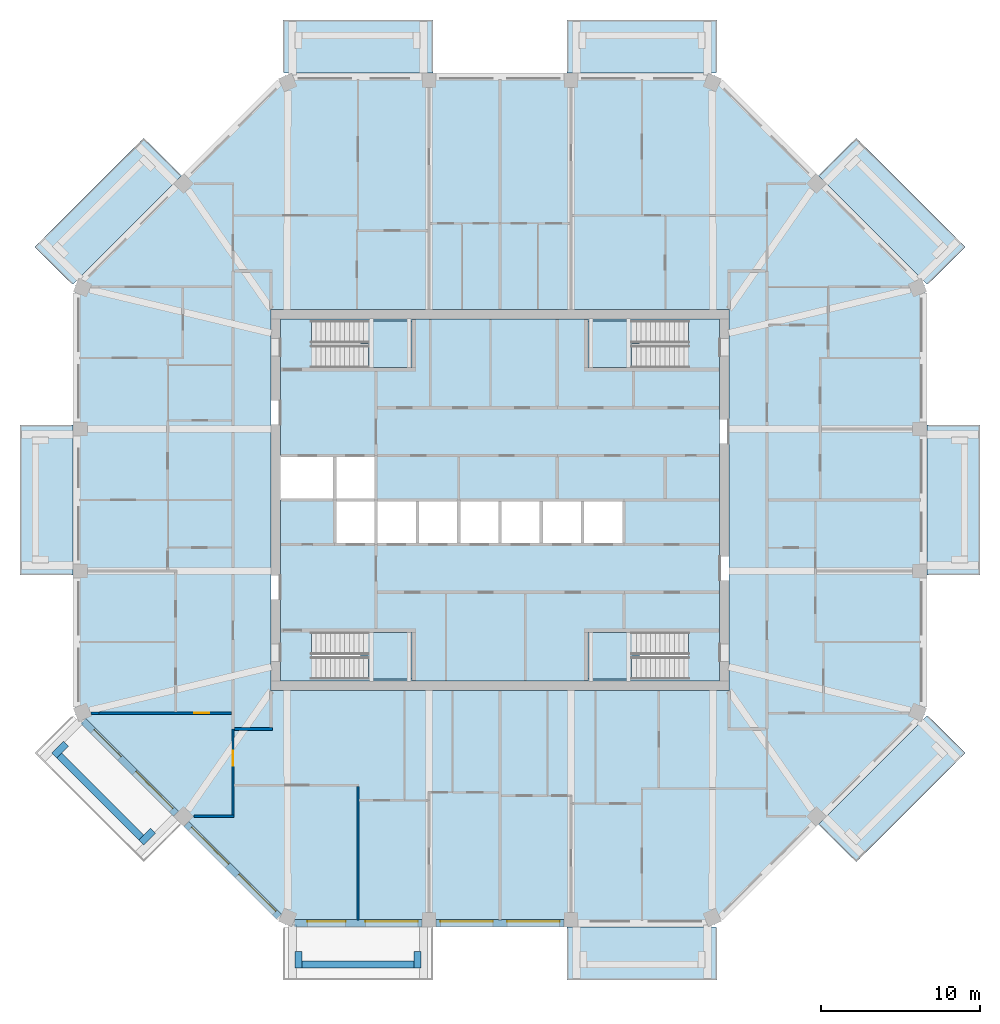
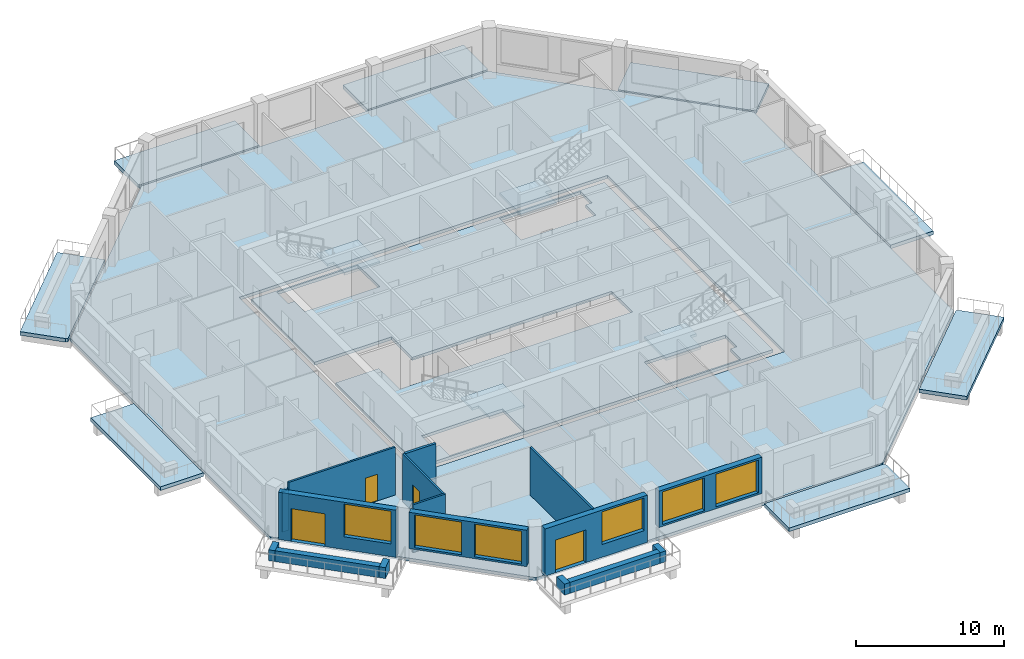
# One storey, part 2 of 12: 16 walls, 14 slabs, 6 windows, 4 doors, 10 openings, 4 elements without a shape of their own.
"""IFC4 building model written with IfcOpenShell, lengths in metres."""

from ifc_helpers import new_model, si_unit, direction, frame, frame_2d, origin, place, context, subcontext, project, spatial, polyline, rectangle, outline, extrude, material, layer, layer_set, type_object, element, fill, aggregate, save


model = new_model("IFC4")

# Units and contexts
model_context = context("Model", 3, precision=1e-05, world=origin(), true_north=direction((0.0, 1.0)))
body_context = subcontext(model_context, "Body", "Model", "MODEL_VIEW")
ifc_project = project(units=[si_unit("LENGTHUNIT", "METRE"), si_unit("AREAUNIT", "SQUARE_METRE"), si_unit("VOLUMEUNIT", "CUBIC_METRE"), si_unit("PLANEANGLEUNIT", "RADIAN"), si_unit("MASSUNIT", "GRAM", prefix="KILO")], contexts=[model_context])

# Site, building, storey
site_placement = place(None, origin())
site = spatial("IfcSite", under=ifc_project, at=site_placement, CompositionType="ELEMENT")
building_placement = place(site_placement, origin())
building = spatial("IfcBuilding", under=site, at=building_placement, Name="Msitu Wima Residences", CompositionType="ELEMENT")
storey_placement = place(building_placement, frame((0.0, 0.0, 247.5)))
storey = spatial("IfcBuildingStorey", under=building, at=storey_placement, Name="L57", CompositionType="ELEMENT", Elevation=247.5)

# Slabs
ifc_material_1 = material(Name="Concrete C40/50", Category="concrete")
ifc_layer_1 = layer(ifc_material_1, 0.300048828125)
ifc_layer_set_1 = layer_set([ifc_layer_1], Name="Concrete C40/50")
slab_type_1 = type_object("IfcSlabType", Name="Balcony slab BS300", PredefinedType="FLOOR", material=ifc_layer_set_1)
slab_1_placement = place(storey_placement, frame((0.0, 0.0, -0.300048828125)))
element("IfcSlab", 1, at=slab_1_placement, inside=storey, type_object=slab_type_1, Name="Balcony E1 L57", PredefinedType="FLOOR", context=body_context, shape_type="SweptSolid", body=[
    extrude(outline(polyline([(26.85009765625, -4.0185546875), (26.85009765625, 4.0185546875), (26.85009765625, 4.71875), (30.199951171875, 4.71875), (30.199951171875, -4.71875), (26.85009765625, -4.71875), (26.85009765625, -4.0185546875)])), origin(), (0.0, 0.0, 1.0), 0.300048828125),
])
slab_2_placement = place(storey_placement, frame((0.0, 0.0, -0.300048828125)))
element("IfcSlab", 2, at=slab_2_placement, inside=storey, type_object=slab_type_1, Name="Balcony NE0 L57", PredefinedType="FLOOR", context=body_context, shape_type="SweptSolid", body=[
    extrude(outline(polyline([(26.505615234375, 13.936767578125), (26.505615234375, 13.936767578125), (20.04443359375, 20.39794921875), (22.4130859375, 22.766845703125), (29.263671875, 15.916015625), (27.003662109375, 13.656005859375), (26.85009765625, 13.59228515625), (26.505615234375, 13.936767578125), (26.505615234375, 13.936767578125)])), origin(), (0.0, 0.0, 1.0), 0.300048828125),
])
slab_3_placement = place(storey_placement, frame((0.0, 0.0, -0.300048828125)))
element("IfcSlab", 3, at=slab_3_placement, inside=storey, type_object=slab_type_1, Name="Balcony N0 L57", PredefinedType="FLOOR", context=body_context, shape_type="SweptSolid", body=[
    extrude(outline(polyline([(13.105224609375, 26.85009765625), (13.105224609375, 26.85009765625), (4.918701171875, 26.85009765625), (4.21875, 26.85009765625), (4.21875, 30.199951171875), (13.656005859375, 30.199951171875), (13.656005859375, 27.003662109375), (13.59228515625, 26.85009765625), (13.105224609375, 26.85009765625), (13.105224609375, 26.85009765625)])), origin(), (0.0, 0.0, 1.0), 0.300048828125),
])
slab_4_placement = place(storey_placement, frame((0.0, 0.0, -0.300048828125)))
element("IfcSlab", 4, at=slab_4_placement, inside=storey, type_object=slab_type_1, Name="Balcony N2 L57", PredefinedType="FLOOR", context=body_context, shape_type="SweptSolid", body=[
    extrude(outline(polyline([(-13.105224609375, 26.85009765625), (-13.105224609375, 26.85009765625), (-13.105224609375, 26.85009765625), (-13.59228515625, 26.85009765625), (-13.656005859375, 27.003662109375), (-13.656005859375, 30.199951171875), (-4.21875, 30.199951171875), (-4.21875, 26.85009765625), (-4.918701171875, 26.85009765625), (-13.105224609375, 26.85009765625)])), origin(), (0.0, 0.0, 1.0), 0.300048828125),
])
slab_5_placement = place(storey_placement, frame((0.0, 0.0, -0.300048828125)))
element("IfcSlab", 5, at=slab_5_placement, inside=storey, type_object=slab_type_1, Name="Balcony NW1 L57", PredefinedType="FLOOR", context=body_context, shape_type="SweptSolid", body=[
    extrude(outline(polyline([(-26.505615234375, 13.936767578125), (-26.505615234375, 13.936767578125), (-26.85009765625, 13.59228515625), (-27.003662109375, 13.656005859375), (-29.263671875, 15.916015625), (-22.4130859375, 22.766845703125), (-20.04443359375, 20.39794921875), (-26.505615234375, 13.936767578125), (-26.505615234375, 13.936767578125)])), origin(), (0.0, 0.0, 1.0), 0.300048828125),
])
slab_6_placement = place(storey_placement, frame((0.0, 0.0, -0.300048828125)))
element("IfcSlab", 6, at=slab_6_placement, inside=storey, type_object=slab_type_1, Name="Balcony W1 L57", PredefinedType="FLOOR", context=body_context, shape_type="SweptSolid", body=[
    extrude(outline(polyline([(-26.85009765625, 4.0185546875), (-26.85009765625, -4.0185546875), (-26.85009765625, -4.71875), (-30.199951171875, -4.71875), (-30.199951171875, 4.71875), (-26.85009765625, 4.71875), (-26.85009765625, 4.0185546875)])), origin(), (0.0, 0.0, 1.0), 0.300048828125),
])
slab_7_placement = place(storey_placement, frame((0.0, 0.0, -0.300048828125)))
element("IfcSlab", 7, at=slab_7_placement, inside=storey, type_object=slab_type_1, Name="Balcony S2 L57", PredefinedType="FLOOR", context=body_context, shape_type="SweptSolid", body=[
    extrude(outline(polyline([(13.105224609375, -26.85009765625), (13.105224609375, -26.85009765625), (13.105224609375, -26.85009765625), (13.59228515625, -26.85009765625), (13.656005859375, -27.003662109375), (13.656005859375, -30.199951171875), (4.21875, -30.199951171875), (4.21875, -26.85009765625), (4.918701171875, -26.85009765625), (13.105224609375, -26.85009765625)])), origin(), (0.0, 0.0, 1.0), 0.300048828125),
])
slab_8_placement = place(storey_placement, frame((0.0, 0.0, -0.300048828125)))
element("IfcSlab", 8, at=slab_8_placement, inside=storey, type_object=slab_type_1, Name="Balcony SE1 L57", PredefinedType="FLOOR", context=body_context, shape_type="SweptSolid", body=[
    extrude(outline(polyline([(26.505615234375, -13.936767578125), (26.505615234375, -13.936767578125), (26.85009765625, -13.59228515625), (27.003662109375, -13.656005859375), (29.263671875, -15.916015625), (22.4130859375, -22.766845703125), (20.04443359375, -20.39794921875), (26.505615234375, -13.936767578125), (26.505615234375, -13.936767578125)])), origin(), (0.0, 0.0, 1.0), 0.300048828125),
])
ifc_layer_2 = layer(ifc_material_1, 0.25)
ifc_layer_set_2 = layer_set([ifc_layer_2], Name="Concrete C40/50")
slab_type_2 = type_object("IfcSlabType", Name="Core floor CF250", PredefinedType="FLOOR", material=ifc_layer_set_2)
slab_9_placement = place(storey_placement, frame((0.0, 0.0, -0.25)))
element("IfcSlab", 9, at=slab_9_placement, inside=storey, type_object=slab_type_2, Name="Core floor", PredefinedType="FLOOR", context=body_context, shape_type="SweptSolid", body=[
    extrude(outline(polyline([(-13.800048828125, 11.39990234375), (-13.800048828125, 2.800048828125), (-10.39990234375, 2.800048828125), (-7.800048828125, 2.800048828125), (-7.800048828125, 0.0), (-5.199951171875, 0.0), (-2.60009765625, 0.0), (0.0, 0.0), (2.60009765625, 0.0), (5.199951171875, 0.0), (7.800048828125, 0.0), (7.800048828125, -2.800048828125), (5.199951171875, -2.800048828125), (2.60009765625, -2.800048828125), (0.0, -2.800048828125), (-2.60009765625, -2.800048828125), (-5.199951171875, -2.800048828125), (-7.800048828125, -2.800048828125), (-10.39990234375, -2.800048828125), (-10.39990234375, 0.0), (-13.800048828125, 0.0), (-13.800048828125, -11.39990234375), (13.800048828125, -11.39990234375), (13.800048828125, 11.39990234375), (-13.800048828125, 11.39990234375)]), holes=[polyline([(-11.375, -11.27490234375), (-11.375, -9.875), (-11.87451171875, -9.875), (-11.87451171875, -8.324951171875), (-5.52490234375, -8.324951171875), (-5.52490234375, -11.27490234375), (-11.375, -11.27490234375)]), polyline([(-11.375, 8.324951171875), (-11.375, 9.72509765625), (-11.87451171875, 9.72509765625), (-11.87451171875, 11.27490234375), (-5.52490234375, 11.27490234375), (-5.52490234375, 8.324951171875), (-11.375, 8.324951171875)]), polyline([(11.375, -9.875), (11.375, -11.27490234375), (5.52490234375, -11.27490234375), (5.52490234375, -8.324951171875), (11.87451171875, -8.324951171875), (11.87451171875, -9.875), (11.375, -9.875)]), polyline([(11.375, 9.72509765625), (11.375, 8.324951171875), (5.52490234375, 8.324951171875), (5.52490234375, 11.27490234375), (11.87451171875, 11.27490234375), (11.87451171875, 9.72509765625), (11.375, 9.72509765625)])]), origin(), (0.0, 0.0, 1.0), 0.25),
])
ifc_layer_3 = layer(ifc_material_1, 0.25)
ifc_layer_set_3 = layer_set([ifc_layer_3], Name="Concrete C40/50")
slab_type_3 = type_object("IfcSlabType", Name="PT flat slab 250 Concrete C40/50", PredefinedType="FLOOR", material=ifc_layer_set_3)
slab_10_placement = place(storey_placement, frame((0.0, 0.0, -0.25)))
element("IfcSlab", 10, at=slab_10_placement, inside=storey, type_object=slab_type_3, Name="Floor slab L57", PredefinedType="FLOOR", context=body_context, shape_type="SweptSolid", body=[
    extrude(outline(polyline([(26.699951171875, -13.5302734375), (13.5302734375, -26.699951171875), (-13.5302734375, -26.699951171875), (-26.699951171875, -13.5302734375), (-26.699951171875, 13.5302734375), (-13.5302734375, 26.699951171875), (13.5302734375, 26.699951171875), (26.699951171875, 13.5302734375), (26.699951171875, -13.5302734375)]), holes=[polyline([(-14.39990234375, -12.0), (14.39990234375, -12.0), (14.39990234375, 12.0), (-14.39990234375, 12.0), (-14.39990234375, -12.0)])]), origin(), (0.0, 0.0, 1.0), 0.25),
])

# Stair, slab
stair_type = type_object("IfcStairType", Name="Exit stair ES1615-140", PredefinedType="HALF_TURN_STAIR", material=ifc_material_1)
stair_1_placement = place(storey_placement, origin())
stair_1 = element("IfcStair", 11, at=stair_1_placement, inside=storey, type_object=stair_type, Name="Exit stair 1", PredefinedType="HALF_TURN_STAIR")
ifc_layer_4 = layer(ifc_material_1, 0.199951171875)
ifc_layer_set_4 = layer_set([ifc_layer_4], Name="Concrete C40/50")
slab_type_4 = type_object("IfcSlabType", Name="Stair landing SL200", PredefinedType="LANDING", material=ifc_layer_set_4)
slab_11_placement = place(storey_placement, frame((0.0, 0.0, 1.89990234375)))
slab_11 = element("IfcSlab", 12, at=slab_11_placement, type_object=slab_type_4, Name="S1 landing 1", PredefinedType="LANDING", context=body_context, shape_type="SweptSolid", body=[
    extrude(outline(polyline([(-5.52490234375, 8.324951171875), (-8.275390625, 8.324951171875), (-8.275390625, 9.800048828125), (-8.77490234375, 9.800048828125), (-8.77490234375, 11.27490234375), (-5.52490234375, 11.27490234375), (-5.52490234375, 8.324951171875)])), origin(), (0.0, 0.0, 1.0), 0.2001953125),
])
aggregate(stair_1, [slab_11])

stair_2_placement = place(storey_placement, origin())
stair_2 = element("IfcStair", 13, at=stair_2_placement, inside=storey, type_object=stair_type, Name="Exit stair 2", PredefinedType="HALF_TURN_STAIR")
slab_12_placement = place(storey_placement, frame((0.0, 0.0, 1.89990234375)))
slab_12 = element("IfcSlab", 14, at=slab_12_placement, type_object=slab_type_4, Name="S2 landing 1", PredefinedType="LANDING", context=body_context, shape_type="SweptSolid", body=[
    extrude(outline(polyline([(-5.52490234375, -11.27490234375), (-8.275390625, -11.27490234375), (-8.275390625, -9.800048828125), (-8.77490234375, -9.800048828125), (-8.77490234375, -8.324951171875), (-5.52490234375, -8.324951171875), (-5.52490234375, -11.27490234375)])), origin(), (0.0, 0.0, 1.0), 0.2001953125),
])
aggregate(stair_2, [slab_12])

stair_3_placement = place(storey_placement, origin())
stair_3 = element("IfcStair", 15, at=stair_3_placement, inside=storey, type_object=stair_type, Name="Exit stair 3", PredefinedType="HALF_TURN_STAIR")
slab_13_placement = place(storey_placement, frame((0.0, 0.0, 1.89990234375)))
slab_13 = element("IfcSlab", 16, at=slab_13_placement, type_object=slab_type_4, Name="S3 landing 1", PredefinedType="LANDING", context=body_context, shape_type="SweptSolid", body=[
    extrude(outline(polyline([(5.52490234375, 8.324951171875), (8.275390625, 8.324951171875), (8.275390625, 9.800048828125), (8.77490234375, 9.800048828125), (8.77490234375, 11.27490234375), (5.52490234375, 11.27490234375), (5.52490234375, 8.324951171875)])), origin(), (0.0, 0.0, 1.0), 0.2001953125),
])
aggregate(stair_3, [slab_13])

stair_4_placement = place(storey_placement, origin())
stair_4 = element("IfcStair", 17, at=stair_4_placement, inside=storey, type_object=stair_type, Name="Exit stair 4", PredefinedType="HALF_TURN_STAIR")
slab_14_placement = place(storey_placement, frame((0.0, 0.0, 1.89990234375)))
slab_14 = element("IfcSlab", 18, at=slab_14_placement, type_object=slab_type_4, Name="S4 landing 1", PredefinedType="LANDING", context=body_context, shape_type="SweptSolid", body=[
    extrude(outline(polyline([(5.52490234375, -11.27490234375), (8.275390625, -11.27490234375), (8.275390625, -9.800048828125), (8.77490234375, -9.800048828125), (8.77490234375, -8.324951171875), (5.52490234375, -8.324951171875), (5.52490234375, -11.27490234375)])), origin(), (0.0, 0.0, 1.0), 0.2001953125),
])
aggregate(stair_4, [slab_14])

# Walls
ifc_material_2 = material(Name="Facing brick")
ifc_layer_5 = layer(ifc_material_2, 0.06494140625, Name="Facing brick")
ifc_layer_6 = layer(ifc_material_1, 0.156005859375, Name="Concrete C40/50")
ifc_material_3 = material(Name="Waterproofing membrane")
ifc_layer_7 = layer(ifc_material_3, 0.00390625, Name="Waterproofing membrane")
ifc_material_4 = material(Name="Planting soil and planting")
ifc_layer_8 = layer(ifc_material_4, 0.22509765625, Name="Planting soil and planting")
ifc_layer_set_5 = layer_set([ifc_layer_5, ifc_layer_6, ifc_layer_7, ifc_layer_8], Name="Concrete C40/50")
wall_type_1 = type_object("IfcWallType", Name="Balcony planter PLANTER PL450", PredefinedType="USERDEFINED", material=ifc_layer_set_5)
wall_1_placement = place(storey_placement, frame((-27.725830078125, -16.0751953125, 0.0), z_axis=(0.0, 0.0, 1.0), x_axis=(0.707106781187, -0.707106781187, 0.0)))
element("IfcWall", 19, at=wall_1_placement, inside=storey, type_object=wall_type_1, Name="Balcony planter SW0 L57", ObjectType="PLANTER", PredefinedType="USERDEFINED", context=body_context, shape_type="SweptSolid", body=[
    extrude(rectangle(XDim=7.288330078125, YDim=0.449951171875, at=frame_2d((3.64404296875, 0.0))), origin(), (0.0, 0.0, 1.0), 0.89990234375),
])
for number, where, z_axis, x_axis, name in (
    (20, (-27.301513671875, -15.332763671875, 0.0), (0.0, 0.0, 1.0), (-0.707106781187, -0.707106781187, 0.0), "Balcony planter SW0 L57"),
    (21, (-21.829833984375, -20.804443359375, 0.0), (0.0, 0.0, 1.0), (-0.707106781187, -0.707106781187, 0.0), "Balcony planter SW0 L57"),
):
    element("IfcWall", number, at=place(storey_placement, frame(where, z_axis=z_axis, x_axis=x_axis)), inside=storey, type_object=wall_type_1, Name=name, ObjectType="PLANTER", PredefinedType="USERDEFINED", context=body_context, shape_type="SweptSolid", body=[
        extrude(rectangle(XDim=1.050048828125, YDim=0.449951171875, at=frame_2d((0.52490234375, 0.0))), origin(), (0.0, 0.0, 1.0), 0.89990234375),
    ])
wall_2_placement = place(storey_placement, frame((-12.455810546875, -29.22509765625, 0.0), z_axis=(0.0, 0.0, 1.0), x_axis=(1.0, 0.0, 0.0)))
element("IfcWall", 22, at=wall_2_placement, inside=storey, type_object=wall_type_1, Name="Balcony planter S0 L57", ObjectType="PLANTER", PredefinedType="USERDEFINED", context=body_context, shape_type="SweptSolid", body=[
    extrude(rectangle(XDim=7.037109375, YDim=0.449951171875, at=frame_2d((3.5185546875, 0.0))), origin(), (0.0, 0.0, 1.0), 0.89990234375),
])
for number, where, z_axis, x_axis, name in (
    (23, (-12.680908203125, -28.39990234375, 0.0), (0.0, 0.0, 1.0), (0.0, -1.0, 0.0), "Balcony planter S0 L57"),
    (24, (-5.193603515625, -28.39990234375, 0.0), (0.0, 0.0, 1.0), (0.0, -1.0, 0.0), "Balcony planter S0 L57"),
):
    element("IfcWall", number, at=place(storey_placement, frame(where, z_axis=z_axis, x_axis=x_axis)), inside=storey, type_object=wall_type_1, Name=name, ObjectType="PLANTER", PredefinedType="USERDEFINED", context=body_context, shape_type="SweptSolid", body=[
        extrude(rectangle(XDim=1.050048828125, YDim=0.449951171875, at=frame_2d((0.52490234375, 0.0))), origin(), (0.0, 0.0, 1.0), 0.89990234375),
    ])

# Wall, openings, door, window
ifc_material_5 = material(Name="Brick (red buff mix)", Category="masonry")
ifc_layer_9 = layer(ifc_material_5, 0.449951171875)
ifc_layer_set_6 = layer_set([ifc_layer_9], Name="Brick (red buff mix)")
wall_type_2 = type_object("IfcWallType", Name="Brick infill wall BW450", PredefinedType="SOLIDWALL", material=ifc_layer_set_6)
wall_3_placement = place(storey_placement, frame((-26.214599609375, -13.909423828125, 0.0), z_axis=(0.0, 0.0, 1.0), x_axis=(0.707106781187, -0.707106781187, 0.0)))
wall_3 = element("IfcWall", 25, at=wall_3_placement, inside=storey, type_object=wall_type_2, Name="Brick infill wall L57 SW0", PredefinedType="SOLIDWALL", context=body_context, shape_type="SweptSolid", body=[
    extrude(rectangle(XDim=8.251220703125, YDim=0.449951171875, at=frame_2d((4.12548828125, 0.0))), origin(), (0.0, 0.0, 1.0), 3.89990234375),
])
opening_1_placement = place(wall_3_placement, frame((0.86279296875, 0.0, 0.0)))
opening_1 = element("IfcOpeningElement", 26, at=opening_1_placement, cuts=wall_3, Name="Opening D57-59.009", PredefinedType="OPENING", context=body_context, shape_type="SweptSolid", body=[
    extrude(rectangle(XDim=2.39990234375, YDim=2.699951171875, at=frame_2d((1.199951171875, 1.35009765625))), frame((0.0, 0.23486328125, 0.0), z_axis=(0.0, -1.0, 0.0), x_axis=(1.0, 0.0, 0.0)), (0.0, 0.0, 1.0), 0.469970703125),
])
opening_2_placement = place(wall_3_placement, frame((4.57568359375, 0.0, 1.050048828125)))
opening_2 = element("IfcOpeningElement", 27, at=opening_2_placement, cuts=wall_3, Name="Opening W57-59.023", PredefinedType="OPENING", context=body_context, shape_type="SweptSolid", body=[
    extrude(rectangle(XDim=3.300048828125, YDim=2.699951171875, at=frame_2d((1.64990234375, 1.35009765625))), frame((0.0, 0.23486328125, 0.0), z_axis=(0.0, -1.0, 0.0), x_axis=(1.0, 0.0, 0.0)), (0.0, 0.0, 1.0), 0.469970703125),
])
ifc_material_6 = material(Name="Anodised aluminium, bronze finish, clear low-emissivity double glazing", Category="aluminium")
door_type_1 = type_object("IfcDoorType", Name="Balcony door D2400x2700", OperationType="SLIDING_TO_LEFT", PredefinedType="DOOR", material=ifc_material_6)
door_1_placement = place(opening_1_placement, origin())
door_1 = element("IfcDoor", 28, at=door_1_placement, inside=storey, type_object=door_type_1, Name="Balcony door L57 SW0", OperationType="SINGLE_SWING_LEFT", OverallHeight=2.699951171875, OverallWidth=2.39990234375, PredefinedType="DOOR", context=body_context, shape_type="SweptSolid", body=[
    extrude(rectangle(XDim=2.39990234375, YDim=2.699951171875, at=frame_2d((1.199951171875, 1.35009765625))), frame((0.0, 0.1298828125, 0.0), z_axis=(0.0, -1.0, 0.0), x_axis=(1.0, 0.0, 0.0)), (0.0, 0.0, 1.0), 0.050048828125),
])
fill(opening_1, door_1)
window_type = type_object("IfcWindowType", Name="Window W3300x2700", PartitioningType="DOUBLE_PANEL_VERTICAL", PredefinedType="WINDOW", material=ifc_material_6)
window_1_placement = place(opening_2_placement, origin())
window_1 = element("IfcWindow", 29, at=window_1_placement, inside=storey, type_object=window_type, Name="Window L57 SW0.2", OverallHeight=2.699951171875, OverallWidth=3.300048828125, PartitioningType="SINGLE_PANEL", PredefinedType="WINDOW", context=body_context, shape_type="SweptSolid", body=[
    extrude(rectangle(XDim=3.300048828125, YDim=2.699951171875, at=frame_2d((1.64990234375, 1.35009765625))), frame((0.0, 0.135009765625, 0.0), z_axis=(0.0, -1.0, 0.0), x_axis=(1.0, 0.0, 0.0)), (0.0, 0.0, 1.0), 0.06005859375),
])
fill(opening_2, window_1)

# Wall, openings, windows
wall_4_placement = place(storey_placement, frame((-19.743896484375, -20.380126953125, 0.89990234375), z_axis=(0.0, 0.0, 1.0), x_axis=(0.707106781187, -0.707106781187, 0.0)))
wall_4 = element("IfcWall", 30, at=wall_4_placement, inside=storey, type_object=wall_type_2, Name="Brick infill wall L57 SW1", PredefinedType="SOLIDWALL", context=body_context, shape_type="SweptSolid", body=[
    extrude(rectangle(XDim=8.251220703125, YDim=0.449951171875, at=frame_2d((4.12548828125, 0.0))), origin(), (0.0, 0.0, 1.0), 3.0),
])
opening_3_placement = place(wall_4_placement, frame((0.37548828125, 0.0, 0.14990234375)))
opening_3 = element("IfcOpeningElement", 31, at=opening_3_placement, cuts=wall_4, Name="Opening W57-59.024", PredefinedType="OPENING", context=body_context, shape_type="SweptSolid", body=[
    extrude(rectangle(XDim=3.300048828125, YDim=2.699951171875, at=frame_2d((1.64990234375, 1.35009765625))), frame((0.0, 0.23486328125, 0.0), z_axis=(0.0, -1.0, 0.0), x_axis=(1.0, 0.0, 0.0)), (0.0, 0.0, 1.0), 0.469970703125),
])
opening_4_placement = place(wall_4_placement, frame((4.57568359375, 0.0, 0.14990234375)))
opening_4 = element("IfcOpeningElement", 32, at=opening_4_placement, cuts=wall_4, Name="Opening W57-59.025", PredefinedType="OPENING", context=body_context, shape_type="SweptSolid", body=[
    extrude(rectangle(XDim=3.300048828125, YDim=2.699951171875, at=frame_2d((1.64990234375, 1.35009765625))), frame((0.0, 0.23486328125, 0.0), z_axis=(0.0, -1.0, 0.0), x_axis=(1.0, 0.0, 0.0)), (0.0, 0.0, 1.0), 0.469970703125),
])
window_2_placement = place(opening_3_placement, origin())
window_2 = element("IfcWindow", 33, at=window_2_placement, inside=storey, type_object=window_type, Name="Window L57 SW1.1", OverallHeight=2.699951171875, OverallWidth=3.300048828125, PartitioningType="SINGLE_PANEL", PredefinedType="WINDOW", context=body_context, shape_type="SweptSolid", body=[
    extrude(rectangle(XDim=3.300048828125, YDim=2.699951171875, at=frame_2d((1.64990234375, 1.35009765625))), frame((0.0, 0.135009765625, 0.0), z_axis=(0.0, -1.0, 0.0), x_axis=(1.0, 0.0, 0.0)), (0.0, 0.0, 1.0), 0.06005859375),
])
fill(opening_3, window_2)
window_3_placement = place(opening_4_placement, origin())
window_3 = element("IfcWindow", 34, at=window_3_placement, inside=storey, type_object=window_type, Name="Window L57 SW1.2", OverallHeight=2.699951171875, OverallWidth=3.300048828125, PartitioningType="SINGLE_PANEL", PredefinedType="WINDOW", context=body_context, shape_type="SweptSolid", body=[
    extrude(rectangle(XDim=3.300048828125, YDim=2.699951171875, at=frame_2d((1.64990234375, 1.35009765625))), frame((0.0, 0.135009765625, 0.0), z_axis=(0.0, -1.0, 0.0), x_axis=(1.0, 0.0, 0.0)), (0.0, 0.0, 1.0), 0.06005859375),
])
fill(opening_4, window_3)

# Wall, openings, door, window
wall_5_placement = place(storey_placement, frame((-12.918701171875, -26.625, 0.0), z_axis=(0.0, 0.0, 1.0), x_axis=(1.0, 0.0, 0.0)))
wall_5 = element("IfcWall", 35, at=wall_5_placement, inside=storey, type_object=wall_type_2, Name="Brick infill wall L57 S0", PredefinedType="SOLIDWALL", context=body_context, shape_type="SweptSolid", body=[
    extrude(rectangle(XDim=8.0, YDim=0.449951171875, at=frame_2d((4.0, 0.0))), origin(), (0.0, 0.0, 1.0), 3.89990234375),
])
opening_5_placement = place(wall_5_placement, frame((0.800048828125, 0.0, 0.0)))
opening_5 = element("IfcOpeningElement", 36, at=opening_5_placement, cuts=wall_5, Name="Opening D57-59.006", PredefinedType="OPENING", context=body_context, shape_type="SweptSolid", body=[
    extrude(rectangle(XDim=2.39990234375, YDim=2.699951171875, at=frame_2d((1.199951171875, 1.35009765625))), frame((0.0, 0.23486328125, 0.0), z_axis=(0.0, -1.0, 0.0), x_axis=(1.0, 0.0, 0.0)), (0.0, 0.0, 1.0), 0.469970703125),
])
opening_6_placement = place(wall_5_placement, frame((4.4501953125, 0.0, 1.050048828125)))
opening_6 = element("IfcOpeningElement", 37, at=opening_6_placement, cuts=wall_5, Name="Opening W57-59.016", PredefinedType="OPENING", context=body_context, shape_type="SweptSolid", body=[
    extrude(rectangle(XDim=3.300048828125, YDim=2.699951171875, at=frame_2d((1.64990234375, 1.35009765625))), frame((0.0, 0.23486328125, 0.0), z_axis=(0.0, -1.0, 0.0), x_axis=(1.0, 0.0, 0.0)), (0.0, 0.0, 1.0), 0.469970703125),
])
door_2_placement = place(opening_5_placement, origin())
door_2 = element("IfcDoor", 38, at=door_2_placement, inside=storey, type_object=door_type_1, Name="Balcony door L57 S0", OperationType="SINGLE_SWING_LEFT", OverallHeight=2.699951171875, OverallWidth=2.39990234375, PredefinedType="DOOR", context=body_context, shape_type="SweptSolid", body=[
    extrude(rectangle(XDim=2.39990234375, YDim=2.699951171875, at=frame_2d((1.199951171875, 1.35009765625))), frame((0.0, 0.1298828125, 0.0), z_axis=(0.0, -1.0, 0.0), x_axis=(1.0, 0.0, 0.0)), (0.0, 0.0, 1.0), 0.050048828125),
])
fill(opening_5, door_2)
window_4_placement = place(opening_6_placement, origin())
window_4 = element("IfcWindow", 39, at=window_4_placement, inside=storey, type_object=window_type, Name="Window L57 S0.2", OverallHeight=2.699951171875, OverallWidth=3.300048828125, PartitioningType="SINGLE_PANEL", PredefinedType="WINDOW", context=body_context, shape_type="SweptSolid", body=[
    extrude(rectangle(XDim=3.300048828125, YDim=2.699951171875, at=frame_2d((1.64990234375, 1.35009765625))), frame((0.0, 0.135009765625, 0.0), z_axis=(0.0, -1.0, 0.0), x_axis=(1.0, 0.0, 0.0)), (0.0, 0.0, 1.0), 0.06005859375),
])
fill(opening_6, window_4)

# Wall, openings, windows
wall_6_placement = place(storey_placement, frame((-4.0185546875, -26.625, 0.89990234375), z_axis=(0.0, 0.0, 1.0), x_axis=(1.0, 0.0, 0.0)))
wall_6 = element("IfcWall", 40, at=wall_6_placement, inside=storey, type_object=wall_type_2, Name="Brick infill wall L57 S1", PredefinedType="SOLIDWALL", context=body_context, shape_type="SweptSolid", body=[
    extrude(rectangle(XDim=8.037109375, YDim=0.449951171875, at=frame_2d((4.0185546875, 0.0))), origin(), (0.0, 0.0, 1.0), 3.0),
])
opening_7_placement = place(wall_6_placement, frame((0.2685546875, 0.0, 0.14990234375)))
opening_7 = element("IfcOpeningElement", 41, at=opening_7_placement, cuts=wall_6, Name="Opening W57-59.017", PredefinedType="OPENING", context=body_context, shape_type="SweptSolid", body=[
    extrude(rectangle(XDim=3.300048828125, YDim=2.699951171875, at=frame_2d((1.64990234375, 1.35009765625))), frame((0.0, 0.23486328125, 0.0), z_axis=(0.0, -1.0, 0.0), x_axis=(1.0, 0.0, 0.0)), (0.0, 0.0, 1.0), 0.469970703125),
])
opening_8_placement = place(wall_6_placement, frame((4.46875, 0.0, 0.14990234375)))
opening_8 = element("IfcOpeningElement", 42, at=opening_8_placement, cuts=wall_6, Name="Opening W57-59.018", PredefinedType="OPENING", context=body_context, shape_type="SweptSolid", body=[
    extrude(rectangle(XDim=3.300048828125, YDim=2.699951171875, at=frame_2d((1.64990234375, 1.35009765625))), frame((0.0, 0.23486328125, 0.0), z_axis=(0.0, -1.0, 0.0), x_axis=(1.0, 0.0, 0.0)), (0.0, 0.0, 1.0), 0.469970703125),
])
window_5_placement = place(opening_7_placement, origin())
window_5 = element("IfcWindow", 43, at=window_5_placement, inside=storey, type_object=window_type, Name="Window L57 S1.1", OverallHeight=2.699951171875, OverallWidth=3.300048828125, PartitioningType="SINGLE_PANEL", PredefinedType="WINDOW", context=body_context, shape_type="SweptSolid", body=[
    extrude(rectangle(XDim=3.300048828125, YDim=2.699951171875, at=frame_2d((1.64990234375, 1.35009765625))), frame((0.0, 0.135009765625, 0.0), z_axis=(0.0, -1.0, 0.0), x_axis=(1.0, 0.0, 0.0)), (0.0, 0.0, 1.0), 0.06005859375),
])
fill(opening_7, window_5)
window_6_placement = place(opening_8_placement, origin())
window_6 = element("IfcWindow", 44, at=window_6_placement, inside=storey, type_object=window_type, Name="Window L57 S1.2", OverallHeight=2.699951171875, OverallWidth=3.300048828125, PartitioningType="SINGLE_PANEL", PredefinedType="WINDOW", context=body_context, shape_type="SweptSolid", body=[
    extrude(rectangle(XDim=3.300048828125, YDim=2.699951171875, at=frame_2d((1.64990234375, 1.35009765625))), frame((0.0, 0.135009765625, 0.0), z_axis=(0.0, -1.0, 0.0), x_axis=(1.0, 0.0, 0.0)), (0.0, 0.0, 1.0), 0.06005859375),
])
fill(opening_8, window_6)

# Walls
ifc_material_7 = material(Name="Plaster")
ifc_layer_10 = layer(ifc_material_7, 0.011962890625, Name="Plaster")
ifc_material_8 = material(Name="Concrete blockwork", Category="masonry")
ifc_layer_11 = layer(ifc_material_8, 0.176025390625, Name="Concrete blockwork")
ifc_layer_12 = layer(ifc_material_7, 0.011962890625, Name="Plaster")
ifc_layer_set_7 = layer_set([ifc_layer_10, ifc_layer_11, ifc_layer_12], Name="Concrete blockwork")
wall_type_3 = type_object("IfcWallType", Name="Corridor wall FW200", PredefinedType="PARTITIONING", material=ifc_layer_set_7)
wall_7_placement = place(storey_placement, frame((-16.699951171875, -14.39990234375, 0.0), z_axis=(0.0, 0.0, 1.0), x_axis=(1.0, 0.0, 0.0)))
element("IfcWall", 45, at=wall_7_placement, inside=storey, type_object=wall_type_3, Name="Corridor wall", PredefinedType="PARTITIONING", context=body_context, shape_type="SweptSolid", body=[
    extrude(rectangle(XDim=2.39990234375, YDim=0.199951171875, at=frame_2d((1.199951171875, 0.0))), origin(), (0.0, 0.0, 1.0), 3.949951171875),
])
ifc_layer_13 = layer(ifc_material_7, 0.011962890625, Name="Plaster")
ifc_layer_14 = layer(ifc_material_8, 0.1259765625, Name="Concrete blockwork")
ifc_layer_15 = layer(ifc_material_7, 0.011962890625, Name="Plaster")
ifc_layer_set_8 = layer_set([ifc_layer_13, ifc_layer_14, ifc_layer_15], Name="Concrete blockwork")
wall_type_4 = type_object("IfcWallType", Name="Partition PW150", PredefinedType="PARTITIONING", material=ifc_layer_set_8)
wall_8_placement = place(storey_placement, frame((-25.731201171875, -13.406005859375, 0.0), z_axis=(0.0, 0.0, 1.0), x_axis=(1.0, 0.0, 0.0)))
element("IfcWall", 46, at=wall_8_placement, inside=storey, type_object=wall_type_4, Name="Partition", PredefinedType="PARTITIONING", context=body_context, shape_type="SweptSolid", body=[
    extrude(rectangle(XDim=0.507080078125, YDim=0.14990234375, at=frame_2d((0.25341796875, 0.0))), origin(), (0.0, 0.0, 1.0), 3.35009765625),
])

# Wall, opening, door
wall_9_placement = place(storey_placement, frame((-25.22412109375, -13.406005859375, 0.0), z_axis=(0.0, 0.0, 1.0), x_axis=(1.0, 0.0, 0.0)))
wall_9 = element("IfcWall", 47, at=wall_9_placement, inside=storey, type_object=wall_type_4, Name="Partition", PredefinedType="PARTITIONING", context=body_context, shape_type="SweptSolid", body=[
    extrude(rectangle(XDim=8.32421875, YDim=0.14990234375, at=frame_2d((4.162109375, 0.0))), origin(), (0.0, 0.0, 1.0), 3.949951171875),
])
opening_9_placement = place(wall_9_placement, frame((5.992919921875, 0.0, 0.0)))
opening_9 = element("IfcOpeningElement", 48, at=opening_9_placement, cuts=wall_9, Name="Opening D57-59.025", PredefinedType="OPENING", context=body_context, shape_type="SweptSolid", body=[
    extrude(rectangle(XDim=0.949951171875, YDim=2.199951171875, at=frame_2d((0.47509765625, 1.10009765625))), frame((0.0, 0.0849609375, 0.0), z_axis=(0.0, -1.0, 0.0), x_axis=(1.0, 0.0, 0.0)), (0.0, 0.0, 1.0), 0.169921875),
])
ifc_material_9 = material(Name="Timber flush door", Category="wood")
door_type_2 = type_object("IfcDoorType", Name="Room door D12 950x2200", OperationType="SINGLE_SWING_LEFT", PredefinedType="DOOR", material=ifc_material_9)
door_3_placement = place(opening_9_placement, origin())
door_3 = element("IfcDoor", 49, at=door_3_placement, inside=storey, type_object=door_type_2, Name="Room door", OperationType="SINGLE_SWING_LEFT", OverallHeight=2.199951171875, OverallWidth=0.949951171875, PredefinedType="DOOR", context=body_context, shape_type="SweptSolid", body=[
    extrude(rectangle(XDim=0.949951171875, YDim=2.199951171875, at=frame_2d((0.47509765625, 1.10009765625))), frame((0.0, 0.02490234375, 0.0), z_axis=(0.0, -1.0, 0.0), x_axis=(1.0, 0.0, 0.0)), (0.0, 0.0, 1.0), 0.050048828125),
])
fill(opening_9, door_3)

# Wall
wall_10_placement = place(storey_placement, frame((-19.2666015625, -19.90283203125, 0.0), z_axis=(0.0, 0.0, 1.0), x_axis=(1.0, 0.0, 0.0)))
element("IfcWall", 50, at=wall_10_placement, inside=storey, type_object=wall_type_4, Name="Partition", PredefinedType="PARTITIONING", context=body_context, shape_type="SweptSolid", body=[
    extrude(rectangle(XDim=2.54150390625, YDim=0.14990234375, at=frame_2d((1.270751953125, 0.0))), origin(), (0.0, 0.0, 1.0), 3.949951171875),
])

# Wall, opening, door
wall_11_placement = place(storey_placement, frame((-16.800048828125, -19.827880859375, 0.0), z_axis=(0.0, 0.0, 1.0), x_axis=(0.0, 1.0, 0.0)))
wall_11 = element("IfcWall", 51, at=wall_11_placement, inside=storey, type_object=wall_type_4, Name="Partition", PredefinedType="PARTITIONING", context=body_context, shape_type="SweptSolid", body=[
    extrude(rectangle(XDim=5.427978515625, YDim=0.14990234375, at=frame_2d((2.7138671875, 0.0))), origin(), (0.0, 0.0, 1.0), 3.949951171875),
])
opening_10_placement = place(wall_11_placement, frame((3.10009765625, 0.0, 0.0)))
opening_10 = element("IfcOpeningElement", 52, at=opening_10_placement, cuts=wall_11, Name="Opening D57-59.049", PredefinedType="OPENING", context=body_context, shape_type="SweptSolid", body=[
    extrude(rectangle(XDim=0.949951171875, YDim=2.199951171875, at=frame_2d((0.47509765625, 1.10009765625))), frame((0.0, 0.0849609375, 0.0), z_axis=(0.0, -1.0, 0.0), x_axis=(1.0, 0.0, 0.0)), (0.0, 0.0, 1.0), 0.169921875),
])
door_4_placement = place(opening_10_placement, origin())
door_4 = element("IfcDoor", 53, at=door_4_placement, inside=storey, type_object=door_type_2, Name="Room door", OperationType="SINGLE_SWING_RIGHT", OverallHeight=2.199951171875, OverallWidth=0.949951171875, PredefinedType="DOOR", context=body_context, shape_type="SweptSolid", body=[
    extrude(rectangle(XDim=0.949951171875, YDim=2.199951171875, at=frame_2d((0.47509765625, 1.10009765625))), frame((0.0, 0.02490234375, 0.0), z_axis=(0.0, -1.0, 0.0), x_axis=(1.0, 0.0, 0.0)), (0.0, 0.0, 1.0), 0.050048828125),
])
fill(opening_10, door_4)

# Wall
wall_12_placement = place(storey_placement, frame((-8.937255859375, -26.455078125, 0.0), z_axis=(0.0, 0.0, 1.0), x_axis=(0.0, 1.0, 0.0)))
element("IfcWall", 54, at=wall_12_placement, inside=storey, type_object=wall_type_4, Name="Partition", PredefinedType="PARTITIONING", context=body_context, shape_type="SweptSolid", body=[
    extrude(rectangle(XDim=8.43017578125, YDim=0.14990234375, at=frame_2d((4.215087890625, 0.0))), origin(), (0.0, 0.0, 1.0), 3.949951171875),
])

save(model, "model.ifc")
